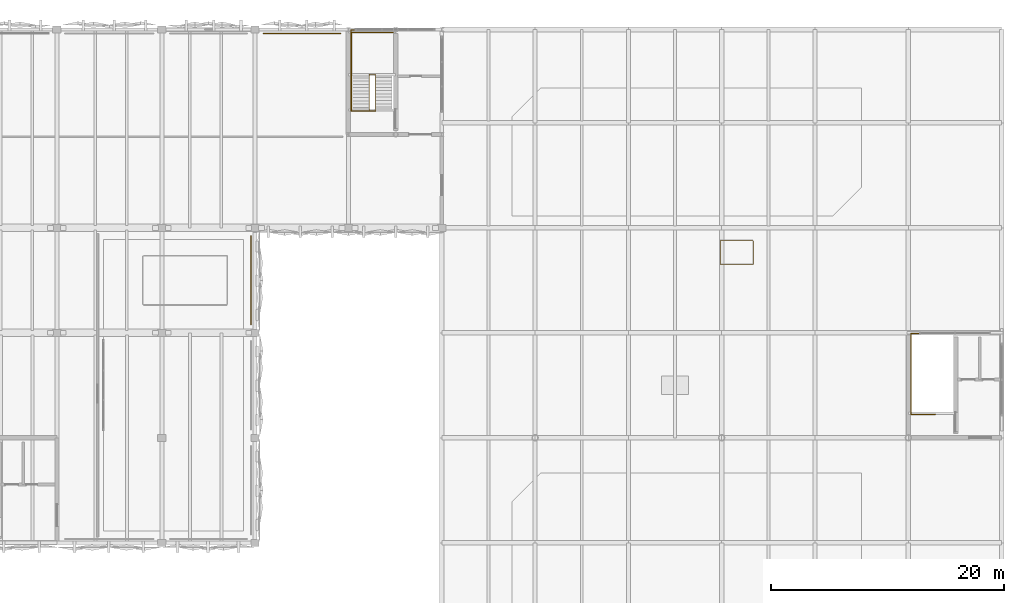
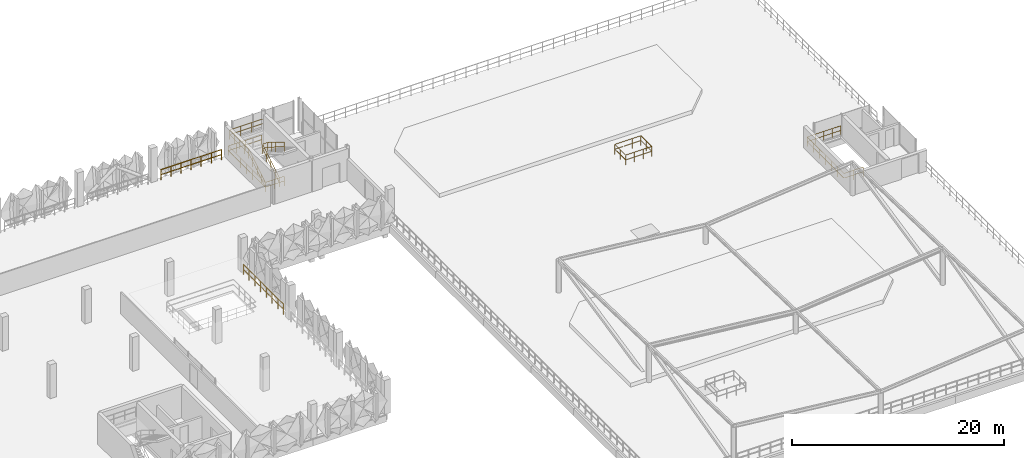
# One storey, part 50 of 52: 7 railings.
"""IFC4 building model written with IfcOpenShell, lengths in metres."""

from ifc_helpers import new_model, si_unit, derived_unit, direction, frame, origin, origin_2d, place, context, subcontext, project, spatial, circle, extrude, material, type_object, element, save


model = new_model("IFC4")

# Units and contexts
model_context = context("Model", 3, precision=1e-05, world=origin(), true_north=direction((0.0, 1.0)))
body_context = subcontext(model_context, "Body", "Model", "MODEL_VIEW")
ifc_project = project(units=[si_unit("LENGTHUNIT", "METRE"), si_unit("AREAUNIT", "SQUARE_METRE"), si_unit("VOLUMEUNIT", "CUBIC_METRE"), si_unit("PLANEANGLEUNIT", "RADIAN"), si_unit("MASSUNIT", "GRAM", prefix="KILO"), si_unit("THERMODYNAMICTEMPERATUREUNIT", "KELVIN"), derived_unit("THERMALTRANSMITTANCEUNIT", [(si_unit("POWERUNIT", "WATT"), 1), (si_unit("AREAUNIT", "SQUARE_METRE"), -1), (si_unit("THERMODYNAMICTEMPERATUREUNIT", "KELVIN"), -1)])], contexts=[model_context])

# Site, building, storey
site_placement = place(None, origin())
site = spatial("IfcSite", under=ifc_project, at=site_placement, CompositionType="ELEMENT")
building_placement = place(site_placement, origin())
building = spatial("IfcBuilding", under=site, at=building_placement, Name="Haiyu Intermodal Mobility Hub", CompositionType="ELEMENT")
storey_placement = place(building_placement, frame((0.0, 0.0, 21.199951171875)))
storey = spatial("IfcBuildingStorey", under=building, at=storey_placement, Name="L05", CompositionType="ELEMENT", Elevation=21.199951171875)

# Railings
ifc_material = material(Name="Steel Q355C", Category="steel")
railing_type_1 = type_object("IfcRailingType", Name="RAL-GR01", PredefinedType="GUARDRAIL", material=ifc_material)
railing_1_placement = place(storey_placement, frame((153.300048828125, 147.659912109375, 0.0)))
element("IfcRailing", 1, at=railing_1_placement, inside=storey, type_object=railing_type_1, Name="RAL-CAR-N-0081", PredefinedType="GUARDRAIL", context=body_context, shape_type="SweptSolid", body=[
    extrude(circle(Radius=0.02392578125, at=origin_2d()), frame((-0.030029296875, 0.0, 1.17578125), z_axis=(-1.0, 0.0, 0.0), x_axis=(0.0, -1.0, 0.0)), (0.0, 0.0, 1.0), 6.5400390625),
    extrude(circle(Radius=0.02392578125, at=origin_2d()), frame((-0.037353515625, 0.0, 0.60009765625), z_axis=(-1.0, 0.0, 0.0), x_axis=(0.0, -1.0, 0.0)), (0.0, 0.0, 1.0), 1.025390625),
    extrude(circle(Radius=0.02392578125, at=origin_2d()), frame((-1.13720703125, 0.0, 0.60009765625), z_axis=(-1.0, 0.0, 0.0), x_axis=(0.0, -1.0, 0.0)), (0.0, 0.0, 1.0), 1.025390625),
    extrude(circle(Radius=0.02392578125, at=origin_2d()), frame((-2.2373046875, 0.0, 0.60009765625), z_axis=(-1.0, 0.0, 0.0), x_axis=(0.0, -1.0, 0.0)), (0.0, 0.0, 1.0), 1.025390625),
    extrude(circle(Radius=0.02392578125, at=origin_2d()), frame((-3.33740234375, 0.0, 0.60009765625), z_axis=(-1.0, 0.0, 0.0), x_axis=(0.0, -1.0, 0.0)), (0.0, 0.0, 1.0), 1.025390625),
    extrude(circle(Radius=0.02392578125, at=origin_2d()), frame((-4.437255859375, 0.0, 0.60009765625), z_axis=(-1.0, 0.0, 0.0), x_axis=(0.0, -1.0, 0.0)), (0.0, 0.0, 1.0), 1.025390625),
    extrude(circle(Radius=0.02392578125, at=origin_2d()), frame((-5.537353515625, 0.0, 0.60009765625), z_axis=(-1.0, 0.0, 0.0), x_axis=(0.0, -1.0, 0.0)), (0.0, 0.0, 1.0), 1.025390625),
    extrude(circle(Radius=0.02099609375, at=origin_2d()), origin(), (0.0, 0.0, 1.0), 1.143798828125),
    extrude(circle(Radius=0.02099609375, at=origin_2d()), frame((-1.10009765625, 0.0, 0.0)), (0.0, 0.0, 1.0), 1.143798828125),
    extrude(circle(Radius=0.02099609375, at=origin_2d()), frame((-2.199951171875, 0.0, 0.0)), (0.0, 0.0, 1.0), 1.143798828125),
    extrude(circle(Radius=0.02099609375, at=origin_2d()), frame((-3.300048828125, 0.0, 0.0)), (0.0, 0.0, 1.0), 1.143798828125),
    extrude(circle(Radius=0.02099609375, at=origin_2d()), frame((-4.400146484375, 0.0, 0.0)), (0.0, 0.0, 1.0), 1.143798828125),
    extrude(circle(Radius=0.02099609375, at=origin_2d()), frame((-5.5, 0.0, 0.0)), (0.0, 0.0, 1.0), 1.143798828125),
    extrude(circle(Radius=0.02099609375, at=origin_2d()), frame((-6.60009765625, 0.0, 0.0)), (0.0, 0.0, 1.0), 1.143798828125),
])
railing_2_placement = place(storey_placement, frame((145.659912109375, 122.699951171875, 0.0)))
element("IfcRailing", 2, at=railing_2_placement, inside=storey, type_object=railing_type_1, Name="RAL-CAR-E-0107", PredefinedType="GUARDRAIL", context=body_context, shape_type="SweptSolid", body=[
    extrude(circle(Radius=0.02392578125, at=origin_2d()), frame((0.0, 0.030029296875, 1.17578125), z_axis=(0.0, 1.0, 0.0), x_axis=(-1.0, 0.0, 0.0)), (0.0, 0.0, 1.0), 7.5400390625),
    extrude(circle(Radius=0.02392578125, at=origin_2d()), frame((0.0, 0.037353515625, 0.60009765625), z_axis=(0.0, 1.0, 0.0), x_axis=(-1.0, 0.0, 0.0)), (0.0, 0.0, 1.0), 1.01123046875),
    extrude(circle(Radius=0.02392578125, at=origin_2d()), frame((0.0, 1.123046875, 0.60009765625), z_axis=(0.0, 1.0, 0.0), x_axis=(-1.0, 0.0, 0.0)), (0.0, 0.0, 1.0), 1.01123046875),
    extrude(circle(Radius=0.02392578125, at=origin_2d()), frame((0.0, 2.208740234375, 0.60009765625), z_axis=(0.0, 1.0, 0.0), x_axis=(-1.0, 0.0, 0.0)), (0.0, 0.0, 1.0), 1.01123046875),
    extrude(circle(Radius=0.02392578125, at=origin_2d()), frame((0.0, 3.29443359375, 0.60009765625), z_axis=(0.0, 1.0, 0.0), x_axis=(-1.0, 0.0, 0.0)), (0.0, 0.0, 1.0), 1.01123046875),
    extrude(circle(Radius=0.02392578125, at=origin_2d()), frame((0.0, 4.380126953125, 0.60009765625), z_axis=(0.0, 1.0, 0.0), x_axis=(-1.0, 0.0, 0.0)), (0.0, 0.0, 1.0), 1.01123046875),
    extrude(circle(Radius=0.02392578125, at=origin_2d()), frame((0.0, 5.4658203125, 0.60009765625), z_axis=(0.0, 1.0, 0.0), x_axis=(-1.0, 0.0, 0.0)), (0.0, 0.0, 1.0), 1.01123046875),
    extrude(circle(Radius=0.02392578125, at=origin_2d()), frame((0.0, 6.5517578125, 0.60009765625), z_axis=(0.0, 1.0, 0.0), x_axis=(-1.0, 0.0, 0.0)), (0.0, 0.0, 1.0), 1.01123046875),
    extrude(circle(Radius=0.02099609375, at=origin_2d()), origin(), (0.0, 0.0, 1.0), 1.143798828125),
    extrude(circle(Radius=0.02099609375, at=origin_2d()), frame((0.0, 1.085693359375, 0.0)), (0.0, 0.0, 1.0), 1.143798828125),
    extrude(circle(Radius=0.02099609375, at=origin_2d()), frame((0.0, 2.17138671875, 0.0)), (0.0, 0.0, 1.0), 1.143798828125),
    extrude(circle(Radius=0.02099609375, at=origin_2d()), frame((0.0, 3.257080078125, 0.0)), (0.0, 0.0, 1.0), 1.143798828125),
    extrude(circle(Radius=0.02099609375, at=origin_2d()), frame((0.0, 4.343017578125, 0.0)), (0.0, 0.0, 1.0), 1.143798828125),
    extrude(circle(Radius=0.02099609375, at=origin_2d()), frame((0.0, 5.4287109375, 0.0)), (0.0, 0.0, 1.0), 1.143798828125),
    extrude(circle(Radius=0.02099609375, at=origin_2d()), frame((0.0, 6.514404296875, 0.0)), (0.0, 0.0, 1.0), 1.143798828125),
    extrude(circle(Radius=0.02099609375, at=origin_2d()), frame((0.0, 7.60009765625, 0.0)), (0.0, 0.0, 1.0), 1.143798828125),
])
railing_type_2 = type_object("IfcRailingType", Name="RAL-GR02", PredefinedType="GUARDRAIL", material=ifc_material)
railing_3_placement = place(storey_placement, frame((185.8798828125, 127.8798828125, 0.0)))
element("IfcRailing", 3, at=railing_3_placement, inside=storey, type_object=railing_type_2, Name="RAL-V6RG-OPN2", PredefinedType="GUARDRAIL", context=body_context, shape_type="SweptSolid", body=[
    extrude(circle(Radius=0.02392578125, at=origin_2d()), frame((0.030029296875, 0.0, 1.1259765625), z_axis=(1.0, 0.0, 0.0), x_axis=(0.0, 1.0, 0.0)), (0.0, 0.0, 1.0), 2.780029296875),
    extrude(circle(Radius=0.02392578125, at=origin_2d()), frame((0.037353515625, 0.0, 0.574951171875), z_axis=(1.0, 0.0, 0.0), x_axis=(0.0, 1.0, 0.0)), (0.0, 0.0, 1.0), 0.8720703125),
    extrude(circle(Radius=0.02392578125, at=origin_2d()), frame((0.98388671875, 0.0, 0.574951171875), z_axis=(1.0, 0.0, 0.0), x_axis=(0.0, 1.0, 0.0)), (0.0, 0.0, 1.0), 0.8720703125),
    extrude(circle(Radius=0.02392578125, at=origin_2d()), frame((1.9306640625, 0.0, 0.574951171875), z_axis=(1.0, 0.0, 0.0), x_axis=(0.0, 1.0, 0.0)), (0.0, 0.0, 1.0), 0.8720703125),
    extrude(circle(Radius=0.02392578125, at=origin_2d()), frame((2.840087890625, 0.030029296875, 1.1259765625), z_axis=(0.0, 1.0, 0.0), x_axis=(-1.0, 0.0, 0.0)), (0.0, 0.0, 1.0), 1.97998046875),
    extrude(circle(Radius=0.02392578125, at=origin_2d()), frame((2.840087890625, 0.037353515625, 0.574951171875), z_axis=(0.0, 1.0, 0.0), x_axis=(-1.0, 0.0, 0.0)), (0.0, 0.0, 1.0), 0.9453125),
    extrude(circle(Radius=0.02392578125, at=origin_2d()), frame((2.840087890625, 1.057373046875, 0.574951171875), z_axis=(0.0, 1.0, 0.0), x_axis=(-1.0, 0.0, 0.0)), (0.0, 0.0, 1.0), 0.9453125),
    extrude(circle(Radius=0.02392578125, at=origin_2d()), frame((2.81005859375, 2.0400390625, 1.1259765625), z_axis=(-1.0, 0.0, 0.0), x_axis=(0.0, -1.0, 0.0)), (0.0, 0.0, 1.0), 2.780029296875),
    extrude(circle(Radius=0.02392578125, at=origin_2d()), frame((2.802734375, 2.0400390625, 0.574951171875), z_axis=(-1.0, 0.0, 0.0), x_axis=(0.0, -1.0, 0.0)), (0.0, 0.0, 1.0), 0.8720703125),
    extrude(circle(Radius=0.02392578125, at=origin_2d()), frame((1.856201171875, 2.0400390625, 0.574951171875), z_axis=(-1.0, 0.0, 0.0), x_axis=(0.0, -1.0, 0.0)), (0.0, 0.0, 1.0), 0.8720703125),
    extrude(circle(Radius=0.02392578125, at=origin_2d()), frame((0.909423828125, 2.0400390625, 0.574951171875), z_axis=(-1.0, 0.0, 0.0), x_axis=(0.0, -1.0, 0.0)), (0.0, 0.0, 1.0), 0.8720703125),
    extrude(circle(Radius=0.02392578125, at=origin_2d()), frame((0.0, 2.010009765625, 1.1259765625), z_axis=(0.0, -1.0, 0.0), x_axis=(1.0, 0.0, 0.0)), (0.0, 0.0, 1.0), 1.97998046875),
    extrude(circle(Radius=0.02392578125, at=origin_2d()), frame((0.0, 2.002685546875, 0.574951171875), z_axis=(0.0, -1.0, 0.0), x_axis=(1.0, 0.0, 0.0)), (0.0, 0.0, 1.0), 0.9453125),
    extrude(circle(Radius=0.02392578125, at=origin_2d()), frame((0.0, 0.982666015625, 0.574951171875), z_axis=(0.0, -1.0, 0.0), x_axis=(1.0, 0.0, 0.0)), (0.0, 0.0, 1.0), 0.9453125),
    extrude(circle(Radius=0.02099609375, at=origin_2d()), origin(), (0.0, 0.0, 1.0), 1.09375),
    extrude(circle(Radius=0.02099609375, at=origin_2d()), frame((0.94677734375, 0.0, 0.0)), (0.0, 0.0, 1.0), 1.09375),
    extrude(circle(Radius=0.02099609375, at=origin_2d()), frame((1.893310546875, 0.0, 0.0)), (0.0, 0.0, 1.0), 1.09375),
    extrude(circle(Radius=0.02099609375, at=origin_2d()), frame((2.840087890625, 0.0, 0.0)), (0.0, 0.0, 1.0), 1.09375),
    extrude(circle(Radius=0.02099609375, at=origin_2d()), frame((2.840087890625, 1.02001953125, 0.0)), (0.0, 0.0, 1.0), 1.09375),
    extrude(circle(Radius=0.02099609375, at=origin_2d()), frame((2.840087890625, 2.0400390625, 0.0)), (0.0, 0.0, 1.0), 1.09375),
    extrude(circle(Radius=0.02099609375, at=origin_2d()), frame((1.893310546875, 2.0400390625, 0.0)), (0.0, 0.0, 1.0), 1.09375),
    extrude(circle(Radius=0.02099609375, at=origin_2d()), frame((0.94677734375, 2.0400390625, 0.0)), (0.0, 0.0, 1.0), 1.09375),
    extrude(circle(Radius=0.02099609375, at=origin_2d()), frame((0.0, 2.0400390625, 0.0)), (0.0, 0.0, 1.0), 1.09375),
    extrude(circle(Radius=0.02099609375, at=origin_2d()), frame((0.0, 1.02001953125, 0.0)), (0.0, 0.0, 1.0), 1.09375),
])
railing_type_3 = type_object("IfcRailingType", Name="RAL-GR03", PredefinedType="GUARDRAIL", material=ifc_material)
railing_4_placement = place(storey_placement, frame((156.31005859375, 141.010009765625, 0.0)))
element("IfcRailing", 4, at=railing_4_placement, inside=storey, type_object=railing_type_3, Name="Stair Shaft Floor Guard STR-C4-L04", PredefinedType="GUARDRAIL", context=body_context, shape_type="SweptSolid", body=[
    extrude(circle(Radius=0.02392578125, at=origin_2d()), frame((-0.030029296875, 0.0, 1.09619140625), z_axis=(-1.0, 0.0, 0.0), x_axis=(0.0, -1.0, 0.0)), (0.0, 0.0, 1.0), 2.030029296875),
    extrude(circle(Radius=0.02392578125, at=origin_2d()), frame((-0.037353515625, 0.0, 0.56005859375), z_axis=(-1.0, 0.0, 0.0), x_axis=(0.0, -1.0, 0.0)), (0.0, 0.0, 1.0), 0.970458984375),
    extrude(circle(Radius=0.02392578125, at=origin_2d()), frame((-1.082275390625, 0.0, 0.56005859375), z_axis=(-1.0, 0.0, 0.0), x_axis=(0.0, -1.0, 0.0)), (0.0, 0.0, 1.0), 0.970458984375),
    extrude(circle(Radius=0.02392578125, at=origin_2d()), frame((-2.090087890625, 0.030029296875, 1.09619140625), z_axis=(0.0, 1.0, 0.0), x_axis=(-1.0, 0.0, 0.0)), (0.0, 0.0, 1.0), 6.8798828125),
    extrude(circle(Radius=0.02392578125, at=origin_2d()), frame((-2.090087890625, 0.037353515625, 0.56005859375), z_axis=(0.0, 1.0, 0.0), x_axis=(-1.0, 0.0, 0.0)), (0.0, 0.0, 1.0), 1.08203125),
    extrude(circle(Radius=0.02392578125, at=origin_2d()), frame((-2.090087890625, 1.19384765625, 0.56005859375), z_axis=(0.0, 1.0, 0.0), x_axis=(-1.0, 0.0, 0.0)), (0.0, 0.0, 1.0), 1.08203125),
    extrude(circle(Radius=0.02392578125, at=origin_2d()), frame((-2.090087890625, 2.3505859375, 0.56005859375), z_axis=(0.0, 1.0, 0.0), x_axis=(-1.0, 0.0, 0.0)), (0.0, 0.0, 1.0), 1.08203125),
    extrude(circle(Radius=0.02392578125, at=origin_2d()), frame((-2.090087890625, 3.50732421875, 0.56005859375), z_axis=(0.0, 1.0, 0.0), x_axis=(-1.0, 0.0, 0.0)), (0.0, 0.0, 1.0), 1.08203125),
    extrude(circle(Radius=0.02392578125, at=origin_2d()), frame((-2.090087890625, 4.663818359375, 0.56005859375), z_axis=(0.0, 1.0, 0.0), x_axis=(-1.0, 0.0, 0.0)), (0.0, 0.0, 1.0), 1.08203125),
    extrude(circle(Radius=0.02392578125, at=origin_2d()), frame((-2.090087890625, 5.820556640625, 0.56005859375), z_axis=(0.0, 1.0, 0.0), x_axis=(-1.0, 0.0, 0.0)), (0.0, 0.0, 1.0), 1.08203125),
    extrude(circle(Radius=0.02392578125, at=origin_2d()), frame((-2.06005859375, 6.93994140625, 1.09619140625), z_axis=(1.0, 0.0, 0.0), x_axis=(0.0, 1.0, 0.0)), (0.0, 0.0, 1.0), 3.590087890625),
    extrude(circle(Radius=0.02392578125, at=origin_2d()), frame((-2.052734375, 6.93994140625, 0.56005859375), z_axis=(1.0, 0.0, 0.0), x_axis=(0.0, 1.0, 0.0)), (0.0, 0.0, 1.0), 0.837890625),
    extrude(circle(Radius=0.02392578125, at=origin_2d()), frame((-1.14013671875, 6.93994140625, 0.56005859375), z_axis=(1.0, 0.0, 0.0), x_axis=(0.0, 1.0, 0.0)), (0.0, 0.0, 1.0), 0.837890625),
    extrude(circle(Radius=0.02392578125, at=origin_2d()), frame((-0.227783203125, 6.93994140625, 0.56005859375), z_axis=(1.0, 0.0, 0.0), x_axis=(0.0, 1.0, 0.0)), (0.0, 0.0, 1.0), 0.837890625),
    extrude(circle(Radius=0.02392578125, at=origin_2d()), frame((0.684814453125, 6.93994140625, 0.56005859375), z_axis=(1.0, 0.0, 0.0), x_axis=(0.0, 1.0, 0.0)), (0.0, 0.0, 1.0), 0.837890625),
    extrude(circle(Radius=0.02099609375, at=origin_2d()), origin(), (0.0, 0.0, 1.0), 1.06396484375),
    extrude(circle(Radius=0.02099609375, at=origin_2d()), frame((-1.044921875, 0.0, 0.0)), (0.0, 0.0, 1.0), 1.06396484375),
    extrude(circle(Radius=0.02099609375, at=origin_2d()), frame((-2.090087890625, 0.0, 0.0)), (0.0, 0.0, 1.0), 1.06396484375),
    extrude(circle(Radius=0.02099609375, at=origin_2d()), frame((-2.090087890625, 1.15673828125, 0.0)), (0.0, 0.0, 1.0), 1.06396484375),
    extrude(circle(Radius=0.02099609375, at=origin_2d()), frame((-2.090087890625, 2.313232421875, 0.0)), (0.0, 0.0, 1.0), 1.06396484375),
    extrude(circle(Radius=0.02099609375, at=origin_2d()), frame((-2.090087890625, 3.469970703125, 0.0)), (0.0, 0.0, 1.0), 1.06396484375),
    extrude(circle(Radius=0.02099609375, at=origin_2d()), frame((-2.090087890625, 4.626708984375, 0.0)), (0.0, 0.0, 1.0), 1.06396484375),
    extrude(circle(Radius=0.02099609375, at=origin_2d()), frame((-2.090087890625, 5.783203125, 0.0)), (0.0, 0.0, 1.0), 1.06396484375),
    extrude(circle(Radius=0.02099609375, at=origin_2d()), frame((-2.090087890625, 6.93994140625, 0.0)), (0.0, 0.0, 1.0), 1.06396484375),
    extrude(circle(Radius=0.02099609375, at=origin_2d()), frame((-1.177490234375, 6.93994140625, 0.0)), (0.0, 0.0, 1.0), 1.06396484375),
    extrude(circle(Radius=0.02099609375, at=origin_2d()), frame((-0.26513671875, 6.93994140625, 0.0)), (0.0, 0.0, 1.0), 1.06396484375),
    extrude(circle(Radius=0.02099609375, at=origin_2d()), frame((0.6474609375, 6.93994140625, 0.0)), (0.0, 0.0, 1.0), 1.06396484375),
    extrude(circle(Radius=0.02099609375, at=origin_2d()), frame((1.56005859375, 6.93994140625, 0.0)), (0.0, 0.0, 1.0), 1.06396484375),
])
railing_5_placement = place(storey_placement, frame((155.780029296875, 141.050048828125, 0.0)))
element("IfcRailing", 5, at=railing_5_placement, inside=storey, type_object=railing_type_3, Name="Stair Well Guard STR-C4-L05", PredefinedType="GUARDRAIL", context=body_context, shape_type="SweptSolid", body=[
    extrude(circle(Radius=0.02392578125, at=origin_2d()), frame((0.0, 0.025390625, 1.11181640625), z_axis=(0.0, 0.848756196164, 0.528784378999), x_axis=(-1.0, 0.0, 0.0)), (0.0, 0.0, 1.0), 3.627685546875),
    extrude(circle(Radius=0.02392578125, at=origin_2d()), frame((0.0, 0.03173828125, 0.579833984375), z_axis=(0.0, 0.848756196164, 0.528784378999), x_axis=(-1.0, 0.0, 0.0)), (0.0, 0.0, 1.0), 0.847412109375),
    extrude(circle(Radius=0.02392578125, at=origin_2d()), frame((0.0, 0.814208984375, 1.0673828125), z_axis=(0.0, 0.848756196164, 0.528784378999), x_axis=(-1.0, 0.0, 0.0)), (0.0, 0.0, 1.0), 0.847412109375),
    extrude(circle(Radius=0.02392578125, at=origin_2d()), frame((0.0, 1.5966796875, 1.5546875), z_axis=(0.0, 0.848756196164, 0.528784378999), x_axis=(-1.0, 0.0, 0.0)), (0.0, 0.0, 1.0), 0.847412109375),
    extrude(circle(Radius=0.02392578125, at=origin_2d()), frame((0.0, 2.379150390625, 2.042236328125), z_axis=(0.0, 0.848756196164, 0.528784378999), x_axis=(-1.0, 0.0, 0.0)), (0.0, 0.0, 1.0), 0.847412109375),
    extrude(circle(Radius=0.02392578125, at=origin_2d()), frame((0.030029296875, 3.1298828125, 3.0458984375), z_axis=(1.0, 0.0, 0.0), x_axis=(0.0, 1.0, 0.0)), (0.0, 0.0, 1.0), 0.469970703125),
    extrude(circle(Radius=0.02392578125, at=origin_2d()), frame((0.037353515625, 3.1298828125, 2.510009765625), z_axis=(1.0, 0.0, 0.0), x_axis=(0.0, 1.0, 0.0)), (0.0, 0.0, 1.0), 0.455322265625),
    extrude(circle(Radius=0.02392578125, at=origin_2d()), frame((0.530029296875, 3.1044921875, 3.061767578125), z_axis=(0.0, -0.84872648218, 0.528832070176), x_axis=(1.0, 0.0, 0.0)), (0.0, 0.0, 1.0), 3.627685546875),
    extrude(circle(Radius=0.02392578125, at=origin_2d()), frame((0.530029296875, 3.09814453125, 2.52978515625), z_axis=(0.0, -0.84872648218, 0.528832070176), x_axis=(1.0, 0.0, 0.0)), (0.0, 0.0, 1.0), 0.847412109375),
    extrude(circle(Radius=0.02392578125, at=origin_2d()), frame((0.530029296875, 2.315673828125, 3.017333984375), z_axis=(0.0, -0.84872648218, 0.528832070176), x_axis=(1.0, 0.0, 0.0)), (0.0, 0.0, 1.0), 0.847412109375),
    extrude(circle(Radius=0.02392578125, at=origin_2d()), frame((0.530029296875, 1.533203125, 3.5048828125), z_axis=(0.0, -0.84872648218, 0.528832070176), x_axis=(1.0, 0.0, 0.0)), (0.0, 0.0, 1.0), 0.847412109375),
    extrude(circle(Radius=0.02392578125, at=origin_2d()), frame((0.530029296875, 0.750732421875, 3.992431640625), z_axis=(0.0, -0.84872648218, 0.528832070176), x_axis=(1.0, 0.0, 0.0)), (0.0, 0.0, 1.0), 0.847412109375),
    extrude(circle(Radius=0.02099609375, at=origin_2d()), origin(), (0.0, 0.0, 1.0), 1.06396484375),
    extrude(circle(Radius=0.02099609375, at=origin_2d()), frame((0.0, 0.782470703125, 0.487548828125)), (0.0, 0.0, 1.0), 1.06396484375),
    extrude(circle(Radius=0.02099609375, at=origin_2d()), frame((0.0, 1.56494140625, 0.97509765625)), (0.0, 0.0, 1.0), 1.06396484375),
    extrude(circle(Radius=0.02099609375, at=origin_2d()), frame((0.0, 2.347412109375, 1.46240234375)), (0.0, 0.0, 1.0), 1.06396484375),
    extrude(circle(Radius=0.02099609375, at=origin_2d()), frame((0.0, 3.1298828125, 1.949951171875)), (0.0, 0.0, 1.0), 1.06396484375),
    extrude(circle(Radius=0.02099609375, at=origin_2d()), frame((0.530029296875, 3.1298828125, 1.949951171875)), (0.0, 0.0, 1.0), 1.06396484375),
    extrude(circle(Radius=0.02099609375, at=origin_2d()), frame((0.530029296875, 2.347412109375, 2.4375)), (0.0, 0.0, 1.0), 1.06396484375),
    extrude(circle(Radius=0.02099609375, at=origin_2d()), frame((0.530029296875, 1.56494140625, 2.925048828125)), (0.0, 0.0, 1.0), 1.06396484375),
    extrude(circle(Radius=0.02099609375, at=origin_2d()), frame((0.530029296875, 0.782470703125, 3.41259765625)), (0.0, 0.0, 1.0), 1.06396484375),
    extrude(circle(Radius=0.02099609375, at=origin_2d()), frame((0.530029296875, 0.0, 3.900146484375)), (0.0, 0.0, 1.0), 1.06396484375),
])
railing_6_placement = place(storey_placement, frame((154.25, 141.050048828125, 0.0)))
element("IfcRailing", 6, at=railing_6_placement, inside=storey, type_object=railing_type_3, Name="Stair Outer Guard STR-C4-L05", PredefinedType="GUARDRAIL", context=body_context, shape_type="SweptSolid", body=[
    extrude(circle(Radius=0.02392578125, at=origin_2d()), frame((0.0, 0.025390625, 1.112060546875), z_axis=(0.0, 0.844894753029, 0.534932571736), x_axis=(-1.0, 0.0, 0.0)), (0.0, 0.0, 1.0), 3.585205078125),
    extrude(circle(Radius=0.02392578125, at=origin_2d()), frame((0.0, 0.031494140625, 0.580078125), z_axis=(0.0, 0.844894753029, 0.534932571736), x_axis=(-1.0, 0.0, 0.0)), (0.0, 0.0, 1.0), 0.836669921875),
    extrude(circle(Radius=0.02392578125, at=origin_2d()), frame((0.0, 0.801513671875, 1.0673828125), z_axis=(0.0, 0.844894753029, 0.534932571736), x_axis=(-1.0, 0.0, 0.0)), (0.0, 0.0, 1.0), 0.836669921875),
    extrude(circle(Radius=0.02392578125, at=origin_2d()), frame((0.0, 1.571533203125, 1.554931640625), z_axis=(0.0, 0.844894753029, 0.534932571736), x_axis=(-1.0, 0.0, 0.0)), (0.0, 0.0, 1.0), 0.836669921875),
    extrude(circle(Radius=0.02392578125, at=origin_2d()), frame((0.0, 2.34130859375, 2.04248046875), z_axis=(0.0, 0.844894753029, 0.534932571736), x_axis=(-1.0, 0.0, 0.0)), (0.0, 0.0, 1.0), 0.836669921875),
    extrude(circle(Radius=0.02392578125, at=origin_2d()), frame((0.0, 3.10986328125, 3.0458984375), z_axis=(0.0, 1.0, 0.0), x_axis=(-1.0, 0.0, 0.0)), (0.0, 0.0, 1.0), 3.570068359375),
    extrude(circle(Radius=0.02392578125, at=origin_2d()), frame((0.0, 3.1171875, 2.510009765625), z_axis=(0.0, 1.0, 0.0), x_axis=(-1.0, 0.0, 0.0)), (0.0, 0.0, 1.0), 0.8330078125),
    extrude(circle(Radius=0.02392578125, at=origin_2d()), frame((0.0, 4.024658203125, 2.510009765625), z_axis=(0.0, 1.0, 0.0), x_axis=(-1.0, 0.0, 0.0)), (0.0, 0.0, 1.0), 0.8330078125),
    extrude(circle(Radius=0.02392578125, at=origin_2d()), frame((0.0, 4.93212890625, 2.510009765625), z_axis=(0.0, 1.0, 0.0), x_axis=(-1.0, 0.0, 0.0)), (0.0, 0.0, 1.0), 0.8330078125),
    extrude(circle(Radius=0.02392578125, at=origin_2d()), frame((0.0, 5.83984375, 2.510009765625), z_axis=(0.0, 1.0, 0.0), x_axis=(-1.0, 0.0, 0.0)), (0.0, 0.0, 1.0), 0.8330078125),
    extrude(circle(Radius=0.02392578125, at=origin_2d()), frame((0.030029296875, 6.7099609375, 3.0458984375), z_axis=(1.0, 0.0, 0.0), x_axis=(0.0, 1.0, 0.0)), (0.0, 0.0, 1.0), 3.52001953125),
    extrude(circle(Radius=0.02392578125, at=origin_2d()), frame((0.037353515625, 6.7099609375, 2.510009765625), z_axis=(1.0, 0.0, 0.0), x_axis=(0.0, 1.0, 0.0)), (0.0, 0.0, 1.0), 1.11865234375),
    extrude(circle(Radius=0.02392578125, at=origin_2d()), frame((1.230712890625, 6.7099609375, 2.510009765625), z_axis=(1.0, 0.0, 0.0), x_axis=(0.0, 1.0, 0.0)), (0.0, 0.0, 1.0), 1.11865234375),
    extrude(circle(Radius=0.02392578125, at=origin_2d()), frame((2.424072265625, 6.7099609375, 2.510009765625), z_axis=(1.0, 0.0, 0.0), x_axis=(0.0, 1.0, 0.0)), (0.0, 0.0, 1.0), 1.11865234375),
    extrude(circle(Radius=0.02099609375, at=origin_2d()), origin(), (0.0, 0.0, 1.0), 1.06396484375),
    extrude(circle(Radius=0.02099609375, at=origin_2d()), frame((0.0, 0.77001953125, 0.487548828125)), (0.0, 0.0, 1.0), 1.06396484375),
    extrude(circle(Radius=0.02099609375, at=origin_2d()), frame((0.0, 1.5400390625, 0.97509765625)), (0.0, 0.0, 1.0), 1.06396484375),
    extrude(circle(Radius=0.02099609375, at=origin_2d()), frame((0.0, 2.309814453125, 1.46240234375)), (0.0, 0.0, 1.0), 1.06396484375),
    extrude(circle(Radius=0.02099609375, at=origin_2d()), frame((0.0, 3.079833984375, 1.949951171875)), (0.0, 0.0, 1.0), 1.06396484375),
    extrude(circle(Radius=0.02099609375, at=origin_2d()), frame((0.0, 3.9873046875, 1.949951171875)), (0.0, 0.0, 1.0), 1.06396484375),
    extrude(circle(Radius=0.02099609375, at=origin_2d()), frame((0.0, 4.89501953125, 1.949951171875)), (0.0, 0.0, 1.0), 1.06396484375),
    extrude(circle(Radius=0.02099609375, at=origin_2d()), frame((0.0, 5.802490234375, 1.949951171875)), (0.0, 0.0, 1.0), 1.06396484375),
    extrude(circle(Radius=0.02099609375, at=origin_2d()), frame((0.0, 6.7099609375, 1.949951171875)), (0.0, 0.0, 1.0), 1.06396484375),
    extrude(circle(Radius=0.02099609375, at=origin_2d()), frame((1.193359375, 6.7099609375, 1.949951171875)), (0.0, 0.0, 1.0), 1.06396484375),
    extrude(circle(Radius=0.02099609375, at=origin_2d()), frame((2.38671875, 6.7099609375, 1.949951171875)), (0.0, 0.0, 1.0), 1.06396484375),
    extrude(circle(Radius=0.02099609375, at=origin_2d()), frame((3.580078125, 6.7099609375, 1.949951171875)), (0.0, 0.0, 1.0), 1.06396484375),
])
railing_7_placement = place(storey_placement, frame((204.31005859375, 115.010009765625, 0.0)))
element("IfcRailing", 7, at=railing_7_placement, inside=storey, type_object=railing_type_3, Name="Stair Shaft Floor Guard STR-C10-L04", PredefinedType="GUARDRAIL", context=body_context, shape_type="SweptSolid", body=[
    extrude(circle(Radius=0.02392578125, at=origin_2d()), frame((-0.030029296875, 0.0, 1.09619140625), z_axis=(-1.0, 0.0, 0.0), x_axis=(0.0, -1.0, 0.0)), (0.0, 0.0, 1.0), 2.030029296875),
    extrude(circle(Radius=0.02392578125, at=origin_2d()), frame((-0.037353515625, 0.0, 0.56005859375), z_axis=(-1.0, 0.0, 0.0), x_axis=(0.0, -1.0, 0.0)), (0.0, 0.0, 1.0), 0.970458984375),
    extrude(circle(Radius=0.02392578125, at=origin_2d()), frame((-1.082275390625, 0.0, 0.56005859375), z_axis=(-1.0, 0.0, 0.0), x_axis=(0.0, -1.0, 0.0)), (0.0, 0.0, 1.0), 0.970458984375),
    extrude(circle(Radius=0.02392578125, at=origin_2d()), frame((-2.090087890625, 0.030029296875, 1.09619140625), z_axis=(0.0, 1.0, 0.0), x_axis=(-1.0, 0.0, 0.0)), (0.0, 0.0, 1.0), 6.8798828125),
    extrude(circle(Radius=0.02392578125, at=origin_2d()), frame((-2.090087890625, 0.037353515625, 0.56005859375), z_axis=(0.0, 1.0, 0.0), x_axis=(-1.0, 0.0, 0.0)), (0.0, 0.0, 1.0), 1.08203125),
    extrude(circle(Radius=0.02392578125, at=origin_2d()), frame((-2.090087890625, 1.19384765625, 0.56005859375), z_axis=(0.0, 1.0, 0.0), x_axis=(-1.0, 0.0, 0.0)), (0.0, 0.0, 1.0), 1.08203125),
    extrude(circle(Radius=0.02392578125, at=origin_2d()), frame((-2.090087890625, 2.3505859375, 0.56005859375), z_axis=(0.0, 1.0, 0.0), x_axis=(-1.0, 0.0, 0.0)), (0.0, 0.0, 1.0), 1.08203125),
    extrude(circle(Radius=0.02392578125, at=origin_2d()), frame((-2.090087890625, 3.50732421875, 0.56005859375), z_axis=(0.0, 1.0, 0.0), x_axis=(-1.0, 0.0, 0.0)), (0.0, 0.0, 1.0), 1.08203125),
    extrude(circle(Radius=0.02392578125, at=origin_2d()), frame((-2.090087890625, 4.663818359375, 0.56005859375), z_axis=(0.0, 1.0, 0.0), x_axis=(-1.0, 0.0, 0.0)), (0.0, 0.0, 1.0), 1.08203125),
    extrude(circle(Radius=0.02392578125, at=origin_2d()), frame((-2.090087890625, 5.820556640625, 0.56005859375), z_axis=(0.0, 1.0, 0.0), x_axis=(-1.0, 0.0, 0.0)), (0.0, 0.0, 1.0), 1.08203125),
    extrude(circle(Radius=0.02392578125, at=origin_2d()), frame((-2.06005859375, 6.93994140625, 1.09619140625), z_axis=(1.0, 0.0, 0.0), x_axis=(0.0, 1.0, 0.0)), (0.0, 0.0, 1.0), 3.590087890625),
    extrude(circle(Radius=0.02392578125, at=origin_2d()), frame((-2.052734375, 6.93994140625, 0.56005859375), z_axis=(1.0, 0.0, 0.0), x_axis=(0.0, 1.0, 0.0)), (0.0, 0.0, 1.0), 0.837890625),
    extrude(circle(Radius=0.02392578125, at=origin_2d()), frame((-1.14013671875, 6.93994140625, 0.56005859375), z_axis=(1.0, 0.0, 0.0), x_axis=(0.0, 1.0, 0.0)), (0.0, 0.0, 1.0), 0.837890625),
    extrude(circle(Radius=0.02392578125, at=origin_2d()), frame((-0.227783203125, 6.93994140625, 0.56005859375), z_axis=(1.0, 0.0, 0.0), x_axis=(0.0, 1.0, 0.0)), (0.0, 0.0, 1.0), 0.837890625),
    extrude(circle(Radius=0.02392578125, at=origin_2d()), frame((0.684814453125, 6.93994140625, 0.56005859375), z_axis=(1.0, 0.0, 0.0), x_axis=(0.0, 1.0, 0.0)), (0.0, 0.0, 1.0), 0.837890625),
    extrude(circle(Radius=0.02099609375, at=origin_2d()), origin(), (0.0, 0.0, 1.0), 1.06396484375),
    extrude(circle(Radius=0.02099609375, at=origin_2d()), frame((-1.044921875, 0.0, 0.0)), (0.0, 0.0, 1.0), 1.06396484375),
    extrude(circle(Radius=0.02099609375, at=origin_2d()), frame((-2.090087890625, 0.0, 0.0)), (0.0, 0.0, 1.0), 1.06396484375),
    extrude(circle(Radius=0.02099609375, at=origin_2d()), frame((-2.090087890625, 1.15673828125, 0.0)), (0.0, 0.0, 1.0), 1.06396484375),
    extrude(circle(Radius=0.02099609375, at=origin_2d()), frame((-2.090087890625, 2.313232421875, 0.0)), (0.0, 0.0, 1.0), 1.06396484375),
    extrude(circle(Radius=0.02099609375, at=origin_2d()), frame((-2.090087890625, 3.469970703125, 0.0)), (0.0, 0.0, 1.0), 1.06396484375),
    extrude(circle(Radius=0.02099609375, at=origin_2d()), frame((-2.090087890625, 4.626708984375, 0.0)), (0.0, 0.0, 1.0), 1.06396484375),
    extrude(circle(Radius=0.02099609375, at=origin_2d()), frame((-2.090087890625, 5.783203125, 0.0)), (0.0, 0.0, 1.0), 1.06396484375),
    extrude(circle(Radius=0.02099609375, at=origin_2d()), frame((-2.090087890625, 6.93994140625, 0.0)), (0.0, 0.0, 1.0), 1.06396484375),
    extrude(circle(Radius=0.02099609375, at=origin_2d()), frame((-1.177490234375, 6.93994140625, 0.0)), (0.0, 0.0, 1.0), 1.06396484375),
    extrude(circle(Radius=0.02099609375, at=origin_2d()), frame((-0.26513671875, 6.93994140625, 0.0)), (0.0, 0.0, 1.0), 1.06396484375),
    extrude(circle(Radius=0.02099609375, at=origin_2d()), frame((0.6474609375, 6.93994140625, 0.0)), (0.0, 0.0, 1.0), 1.06396484375),
    extrude(circle(Radius=0.02099609375, at=origin_2d()), frame((1.56005859375, 6.93994140625, 0.0)), (0.0, 0.0, 1.0), 1.06396484375),
])

save(model, "model.ifc")
